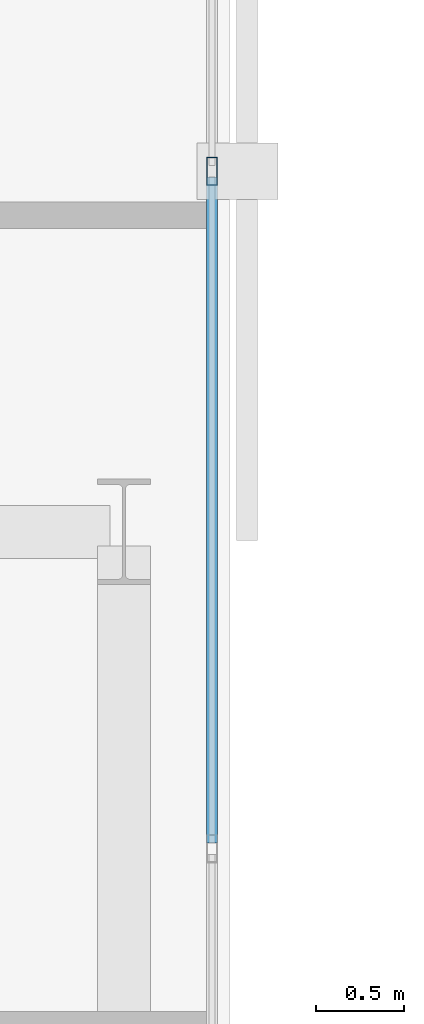
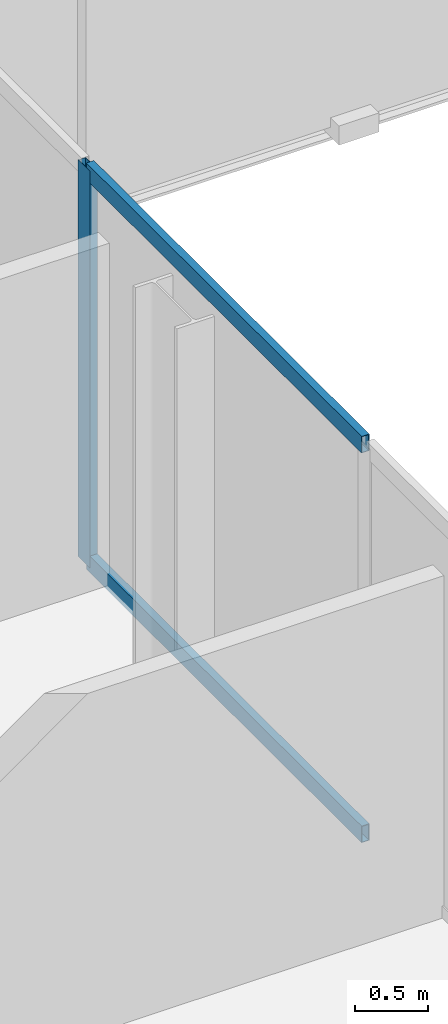
# One storey, part 8 of 32: 3 members, 1 element without a shape of its own.
"""IFC4 building model written with IfcOpenShell, lengths in metres."""

from ifc_helpers import new_model, si_unit, direction, frame, origin, origin_2d, place, context, subcontext, project, spatial, hollow_rectangle, extrude, material, layer, layer_set, material_profile, profile_set, type_object, element, aggregate, save


model = new_model("IFC4")

# Units and contexts
model_context = context("Model", 3, precision=1e-05, world=origin(), true_north=direction((0.0, 1.0)))
body_context = subcontext(model_context, "Body", "Model", "MODEL_VIEW")
ifc_project = project(units=[si_unit("LENGTHUNIT", "METRE"), si_unit("AREAUNIT", "SQUARE_METRE"), si_unit("VOLUMEUNIT", "CUBIC_METRE"), si_unit("PLANEANGLEUNIT", "RADIAN"), si_unit("MASSUNIT", "GRAM", prefix="KILO")], contexts=[model_context])

# Site, building, storey
site_placement = place(None, origin())
site = spatial("IfcSite", under=ifc_project, at=site_placement, CompositionType="ELEMENT")
building_placement = place(site_placement, origin())
building = spatial("IfcBuilding", under=site, at=building_placement, Name="Catumbela Crestline Tower", CompositionType="ELEMENT")
storey_placement = place(building_placement, frame((0.0, 0.0, 126.0)))
storey = spatial("IfcBuildingStorey", under=building, at=storey_placement, Name="L32", CompositionType="ELEMENT", Elevation=126.0)

# Curtain wall, members
ifc_material = material(Name="Aluminium alloy AW-6060-T66", Category="aluminium")
ifc_layer = layer(ifc_material, 0.18, Name="Aluminium alloy AW-6060-T66")
ifc_layer_set = layer_set([ifc_layer], Name="Aluminium alloy AW-6060-T66")
curtain_wall_type = type_object("IfcCurtainWallType", Name="CWU-Z2", PredefinedType="USERDEFINED", material=ifc_layer_set)
curtain_wall_placement = place(storey_placement, origin())
curtain_wall = element("IfcCurtainWall", 1, at=curtain_wall_placement, inside=storey, type_object=curtain_wall_type, Name="L32 Unitised Curtain Wall CW-L32-E2S1", ObjectType="UNITISED", PredefinedType="USERDEFINED")
ifc_material_profile_1 = material_profile(ifc_material, hollow_rectangle(XDim=0.06, YDim=0.16, WallThickness=0.004, at=origin_2d()), Name="ALU 160x60x4")
ifc_profile_set_1 = profile_set([ifc_material_profile_1], Name="Aluminium alloy AW-6060-T66")
member_type_1 = type_object("IfcMemberType", Name="MUL-160X60", PredefinedType="MULLION", material=ifc_profile_set_1)
member_1_placement = place(storey_placement, frame((23.9, 20.05, 0.0), z_axis=(0.0, 0.0, 1.0), x_axis=(-1.0, 0.0, 0.0)))
member_1 = element("IfcMember", 2, at=member_1_placement, type_object=member_type_1, Name="CWU-Z2 mullion 4", PredefinedType="MULLION", context=body_context, shape_type="SweptSolid", body=[
    extrude(hollow_rectangle(XDim=0.06, YDim=0.16, WallThickness=0.004, at=origin_2d()), origin(), (0.0, 0.0, 1.0), 3.33),
])
ifc_material_profile_2 = material_profile(ifc_material, hollow_rectangle(XDim=0.06, YDim=0.14, WallThickness=0.004, at=origin_2d()), Name="ALU 140x60x4")
ifc_profile_set_2 = profile_set([ifc_material_profile_2], Name="Aluminium alloy AW-6060-T66")
member_type_2 = type_object("IfcMemberType", Name="TRN-140X60", PredefinedType="USERDEFINED", material=ifc_profile_set_2)
member_2_placement = place(storey_placement, frame((23.9, 16.2325, 0.03), z_axis=(0.0, 1.0, 0.0), x_axis=(-1.0, 0.0, 0.0)))
member_2 = element("IfcMember", 3, at=member_2_placement, type_object=member_type_2, Name="CWU-Z2 transom 3.1", ObjectType="TRANSOM", PredefinedType="USERDEFINED", context=body_context, shape_type="SweptSolid", body=[
    extrude(hollow_rectangle(XDim=0.06, YDim=0.14, WallThickness=0.004, at=origin_2d()), origin(), (0.0, 0.0, 1.0), 3.785),
])
member_3_placement = place(storey_placement, frame((23.9, 16.2325, 3.3), z_axis=(0.0, 1.0, 0.0), x_axis=(-1.0, 0.0, 0.0)))
member_3 = element("IfcMember", 4, at=member_3_placement, type_object=member_type_2, Name="CWU-Z2 transom 3.2", ObjectType="TRANSOM", PredefinedType="USERDEFINED", context=body_context, shape_type="SweptSolid", body=[
    extrude(hollow_rectangle(XDim=0.06, YDim=0.14, WallThickness=0.004, at=origin_2d()), origin(), (0.0, 0.0, 1.0), 3.785),
])
aggregate(curtain_wall, [member_1, member_2, member_3])

save(model, "model.ifc")
